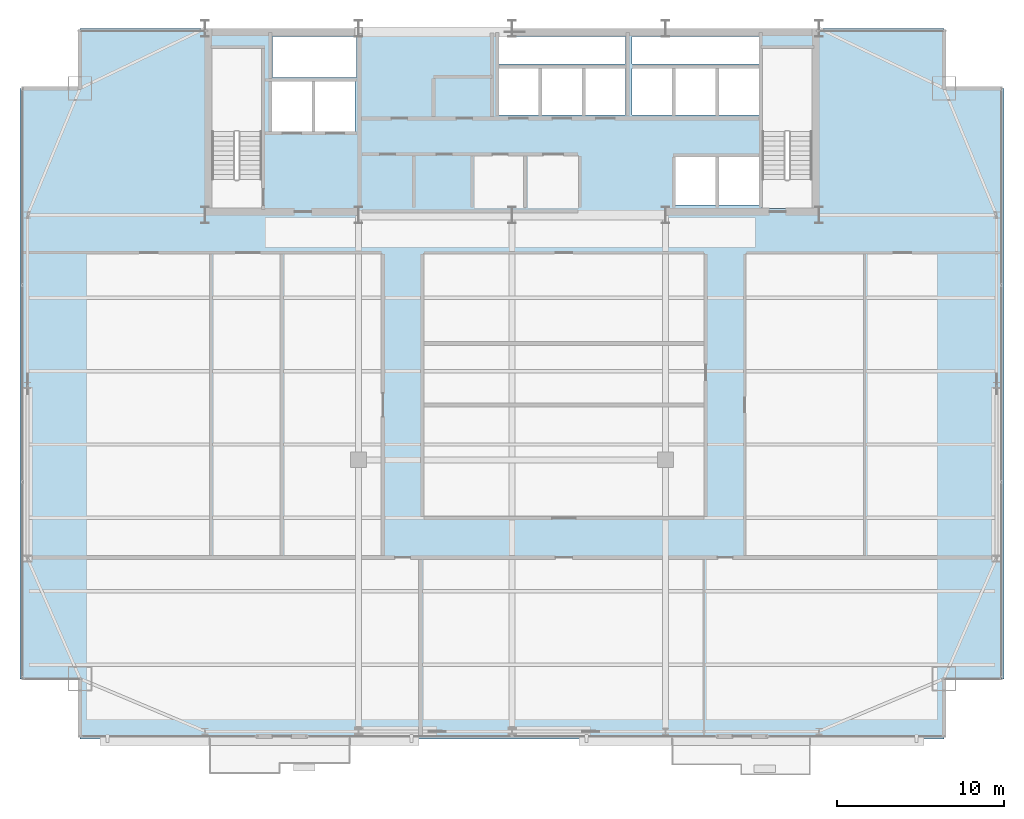
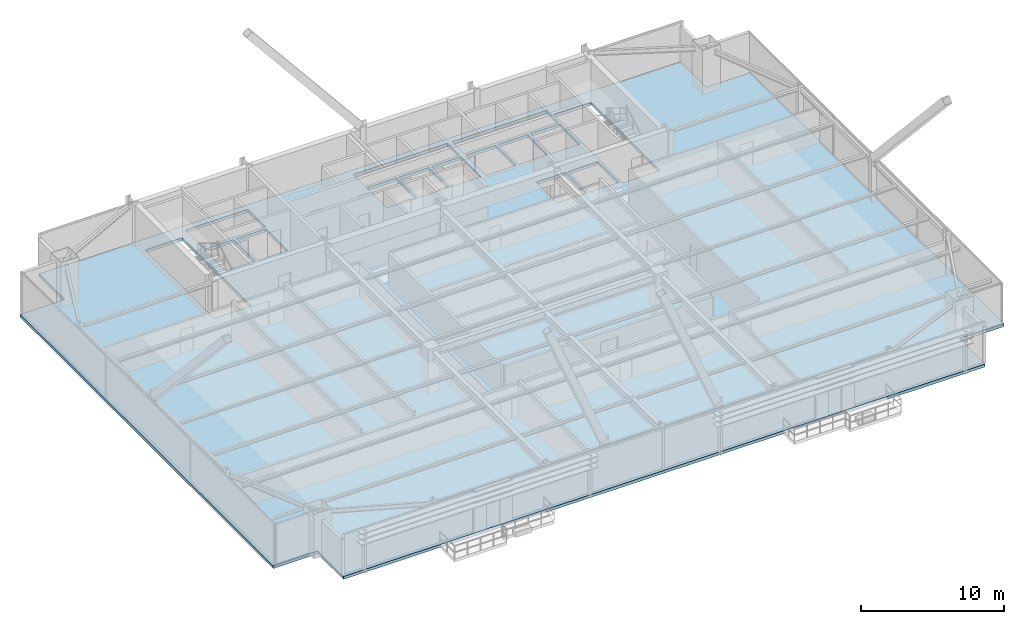
# One storey, part 28 of 37: 1 slab.
"""IFC4 building model written with IfcOpenShell, lengths in metres."""

import ifcopenshell
import ifcopenshell.guid

model = None  # the IFC model being written
_history = None  # IfcOwnerHistory: only IFC2X3 demands one
_inside = {}  # id of a spatial element -> (the spatial element, [elements in it])
_under = {}  # id of a project, library or spatial element -> (it, [spatial elements below it])
_declared = {}  # id of a project -> (the project, [libraries it declares])
_typed = {}  # id of a type object -> (the type object, [elements of that type])
_made_of = {}  # id of a material, layer set ... -> (it, [elements and type objects made of it])


def new_model(schema):
    """Start an empty IFC model of exactly this schema.

    Asked for "IFC4X3", IfcOpenShell would pick the latest addendum, in which some entities
    have other attributes; the version numbers below select the first issue.
    IFC2X3 requires an IfcOwnerHistory on every rooted entity: one is made here for all.
    """
    global model, _history
    if schema == "IFC4X3":
        model = ifcopenshell.file(schema_version=(4, 3, 0, 0))
    else:
        model = ifcopenshell.file(schema=schema)
    _inside.clear()
    _under.clear()
    _declared.clear()
    _typed.clear()
    _made_of.clear()
    _history = None
    if model.schema == "IFC2X3":
        org = make("IfcOrganization", Name="unknown")
        user = make(
            "IfcPersonAndOrganization",
            ThePerson=make("IfcPerson", FamilyName="unknown"),
            TheOrganization=org,
        )
        app = make(
            "IfcApplication",
            ApplicationDeveloper=org,
            Version="unknown",
            ApplicationFullName="unknown",
            ApplicationIdentifier="unknown",
        )
        _history = make(
            "IfcOwnerHistory",
            OwningUser=user,
            OwningApplication=app,
            ChangeAction="ADDED",
            CreationDate=0,
        )
    return model


def make(cls, **values):
    """One entity of the class cls with the attributes given. An attribute that is None is left unset."""
    return model.create_entity(
        cls, **{name: value for name, value in values.items() if value is not None}
    )


def rooted(cls, **values):
    """An entity with a GlobalId (a new one), such as an element, a storey or a relation."""
    return make(cls, GlobalId=ifcopenshell.guid.new(), OwnerHistory=_history, **values)


def si_unit(unit_type, name, prefix=None):
    """IfcSIUnit, for example si_unit("LENGTHUNIT", "METRE", prefix="MILLI")."""
    return make("IfcSIUnit", UnitType=unit_type, Prefix=prefix, Name=name)


def assignment(units):
    """IfcUnitAssignment: the units of a project."""
    return None if units is None else make("IfcUnitAssignment", Units=units)


def point(xyz):
    """IfcCartesianPoint."""
    return None if xyz is None else make("IfcCartesianPoint", Coordinates=xyz)


def direction(xyz):
    """IfcDirection."""
    return None if xyz is None else make("IfcDirection", DirectionRatios=xyz)


def frame(location, z_axis=None, x_axis=None):
    """IfcAxis2Placement3D, a coordinate frame: its origin and axes. An axis left out is left unset."""
    return make(
        "IfcAxis2Placement3D",
        Location=point(location),
        Axis=direction(z_axis),
        RefDirection=direction(x_axis),
    )


def origin():
    """The frame at (0, 0, 0) with its axes left unset."""
    return frame((0.0, 0.0, 0.0))


def place(relative_to, where):
    """IfcLocalPlacement: puts the frame where relative to a parent placement (None: the world)."""
    return make(
        "IfcLocalPlacement", PlacementRelTo=relative_to, RelativePlacement=where
    )


def context(
    kind, dimensions, precision=None, world=None, true_north=None, identifier=None
):
    """IfcGeometricRepresentationContext, for example the 3D "Model" context."""
    return make(
        "IfcGeometricRepresentationContext",
        ContextIdentifier=identifier,
        ContextType=kind,
        CoordinateSpaceDimension=dimensions,
        Precision=precision,
        WorldCoordinateSystem=world,
        TrueNorth=true_north,
    )


def subcontext(parent, identifier, kind, view, scale=None):
    """IfcGeometricRepresentationSubContext, for example "Body" below "Model"."""
    return make(
        "IfcGeometricRepresentationSubContext",
        ContextIdentifier=identifier,
        ContextType=kind,
        ParentContext=parent,
        TargetScale=scale,
        TargetView=view,
    )


def project(units=None, contexts=None):
    """IfcProject with its units and contexts."""
    return rooted(
        "IfcProject",
        Name="project",
        RepresentationContexts=contexts,
        UnitsInContext=assignment(units),
    )


def spatial(cls, under=None, at=None, **own):
    """A site, building, storey or space (cls), placed at a placement, below another one or the project."""
    s = rooted(cls, ObjectPlacement=at, **own)
    if under is not None:
        _under.setdefault(under.id(), (under, []))[1].append(s)
    return s


def polyline(points):
    """IfcPolyline through the points."""
    return make("IfcPolyline", Points=[point(p) for p in points])


def outline(outer, holes=None, kind="AREA"):
    """IfcArbitraryClosedProfileDef: a profile drawn as a closed curve; with holes, ...WithVoids."""
    if holes is None:
        return make("IfcArbitraryClosedProfileDef", ProfileType=kind, OuterCurve=outer)
    return make(
        "IfcArbitraryProfileDefWithVoids",
        ProfileType=kind,
        OuterCurve=outer,
        InnerCurves=holes,
    )


def extrude(swept, where, along, depth):
    """IfcExtrudedAreaSolid: the profile swept, set in the frame where, extruded along a direction by depth."""
    return make(
        "IfcExtrudedAreaSolid",
        SweptArea=swept,
        Position=where,
        ExtrudedDirection=direction(along),
        Depth=depth,
    )


def shape(context_of_items, identifier, shape_type, items):
    """IfcShapeRepresentation: the items that make up one representation, for example the "Body"."""
    return make(
        "IfcShapeRepresentation",
        ContextOfItems=context_of_items,
        RepresentationIdentifier=identifier,
        RepresentationType=shape_type,
        Items=items,
    )


def material(Name=None, Category=None):
    """IfcMaterial."""
    return make("IfcMaterial", Name=Name, Category=Category)


def layer(
    of_material, thickness, ventilated=None, Name=None, Category=None, Priority=None
):
    """IfcMaterialLayer: one layer of a wall or slab, of a material (None: an air gap)."""
    return make(
        "IfcMaterialLayer",
        Material=of_material,
        LayerThickness=thickness,
        IsVentilated=ventilated,
        Name=Name,
        Category=Category,
        Priority=Priority,
    )


def layer_set(layers, Name=None):
    """IfcMaterialLayerSet."""
    return make("IfcMaterialLayerSet", MaterialLayers=layers, LayerSetName=Name)


def made_of(thing, what):
    """Note that an element or type object is made of a material, layer set ...; save() writes the relation."""
    if what is not None:
        _made_of.setdefault(what.id(), (what, []))[1].append(thing)
    return thing


def type_object(cls, material=None, **own):
    """A type object (cls), such as IfcWallType, which elements share."""
    return made_of(rooted(cls, **own), material)


def element(
    cls,
    number,
    at=None,
    inside=None,
    cuts=None,
    type_object=None,
    material=None,
    context=None,
    identifier="Body",
    shape_type=None,
    held_by="IfcProductDefinitionShape",
    body=None,
    shapes=None,
    **own,
):
    """One element of the class cls, such as IfcWall. Its Tag is "e" and its number.

    at: its placement. inside: the storey or other place that contains it. cuts: it is an
    opening in that element (IfcRelVoidsElement). A single representation is given by context,
    identifier, shape_type and body (its items); several are given by shapes. held_by: the class
    of the entity that holds the representations. save() writes the other relations.
    """
    e = rooted(cls, Tag="e%d" % number, ObjectPlacement=at, **own)
    if body is not None:
        shapes = [shape(context, identifier, shape_type, body)]
    if shapes is not None:
        e.Representation = make(held_by, Representations=shapes)
    if inside is not None:
        _inside.setdefault(inside.id(), (inside, []))[1].append(e)
    if cuts is not None:
        rooted(
            "IfcRelVoidsElement", RelatingBuildingElement=cuts, RelatedOpeningElement=e
        )
    if type_object is not None:
        _typed.setdefault(type_object.id(), (type_object, []))[1].append(e)
    return made_of(e, material)


def aggregate(whole, parts):
    """IfcRelAggregates: a whole, such as a stair, and the parts it consists of."""
    return rooted("IfcRelAggregates", RelatingObject=whole, RelatedObjects=parts)


def save(model, path):
    """Write the relations noted so far, then the file.

    IfcRelAggregates (storeys below a building ...), IfcRelContainedInSpatialStructure (elements
    in a storey), IfcRelDefinesByType, IfcRelAssociatesMaterial and IfcRelDeclares: one each for
    every whole, place, type object, material and project.
    """
    for whole, parts in _under.values():
        aggregate(whole, parts)
    for where, things in _inside.values():
        rooted(
            "IfcRelContainedInSpatialStructure",
            RelatedElements=things,
            RelatingStructure=where,
        )
    for kind, things in _typed.values():
        rooted("IfcRelDefinesByType", RelatedObjects=things, RelatingType=kind)
    for what, things in _made_of.values():
        rooted("IfcRelAssociatesMaterial", RelatedObjects=things, RelatingMaterial=what)
    for by, libraries in _declared.values():
        rooted("IfcRelDeclares", RelatingContext=by, RelatedDefinitions=libraries)
    model.write(path)


model = new_model("IFC4")

# Units and contexts
model_context = context("Model", 3, precision=1e-05, world=origin(), true_north=direction((0.0, 1.0)))
body_context = subcontext(model_context, "Body", "Model", "MODEL_VIEW")
ifc_project = project(units=[si_unit("LENGTHUNIT", "METRE"), si_unit("AREAUNIT", "SQUARE_METRE"), si_unit("VOLUMEUNIT", "CUBIC_METRE"), si_unit("PLANEANGLEUNIT", "RADIAN"), si_unit("MASSUNIT", "GRAM", prefix="KILO")], contexts=[model_context])

# Site, building, storey
site_placement = place(None, origin())
site = spatial("IfcSite", under=ifc_project, at=site_placement, CompositionType="ELEMENT")
building_placement = place(site_placement, origin())
building = spatial("IfcBuilding", under=site, at=building_placement, Name="Varnel Quay Broadcast Tower", CompositionType="ELEMENT")
storey_placement = place(building_placement, frame((0.0, 0.0, 125.800048828125)))
storey = spatial("IfcBuildingStorey", under=building, at=storey_placement, Name="L30", CompositionType="ELEMENT", Elevation=125.800048828125)

# Slab
ifc_material = material(Name="Concrete CSA A23.3 C50/60", Category="concrete")
ifc_layer = layer(ifc_material, 0.25, Name="Concrete CSA A23.3 C50/60")
ifc_layer_set = layer_set([ifc_layer], Name="Concrete CSA A23.3 C50/60")
slab_type = type_object("IfcSlabType", Name="Slab_Floor250", PredefinedType="FLOOR", material=ifc_layer_set)
slab_placement = place(storey_placement, frame((0.0, 0.0, -0.25)))
element("IfcSlab", 1, at=slab_placement, inside=storey, type_object=slab_type, Name="L30 Structural Slab", PredefinedType="FLOOR", context=body_context, shape_type="SweptSolid", body=[
    extrude(outline(polyline([(8.10009765625, 4.199951171875), (59.89990234375, 4.199951171875), (59.89990234375, 7.800048828125), (63.5, 7.800048828125), (63.5, 43.199951171875), (59.89990234375, 43.199951171875), (59.89990234375, 46.800048828125), (8.10009765625, 46.800048828125), (8.10009765625, 43.199951171875), (4.5, 43.199951171875), (4.5, 7.800048828125), (8.10009765625, 7.800048828125), (8.10009765625, 4.199951171875)]), holes=[polyline([(19.0, 36.0), (16.0, 36.0), (16.0, 45.60009765625), (19.0, 45.60009765625), (19.0, 36.0)]), polyline([(19.60009765625, 43.60009765625), (22.0, 43.60009765625), (22.0, 40.60009765625), (19.60009765625, 40.60009765625), (19.60009765625, 43.60009765625)]), polyline([(22.199951171875, 43.60009765625), (24.60009765625, 43.60009765625), (24.60009765625, 40.60009765625), (22.199951171875, 40.60009765625), (22.199951171875, 43.60009765625)]), polyline([(33.199951171875, 44.39990234375), (35.60009765625, 44.39990234375), (35.60009765625, 41.60009765625), (33.199951171875, 41.60009765625), (33.199951171875, 44.39990234375)]), polyline([(35.800048828125, 44.39990234375), (38.199951171875, 44.39990234375), (38.199951171875, 41.60009765625), (35.800048828125, 41.60009765625), (35.800048828125, 44.39990234375)]), polyline([(38.39990234375, 44.39990234375), (40.800048828125, 44.39990234375), (40.800048828125, 41.60009765625), (38.39990234375, 41.60009765625), (38.39990234375, 44.39990234375)]), polyline([(19.64990234375, 46.300048828125), (24.679931640625, 46.300048828125), (24.679931640625, 43.85009765625), (19.64990234375, 43.85009765625), (19.64990234375, 46.300048828125)]), polyline([(33.199951171875, 46.300048828125), (40.800048828125, 46.300048828125), (40.800048828125, 44.64990234375), (33.199951171875, 44.64990234375), (33.199951171875, 46.300048828125)]), polyline([(43.800048828125, 39.10009765625), (46.199951171875, 39.10009765625), (46.199951171875, 36.199951171875), (43.800048828125, 36.199951171875), (43.800048828125, 39.10009765625)]), polyline([(46.39990234375, 39.10009765625), (48.800048828125, 39.10009765625), (48.800048828125, 36.199951171875), (46.39990234375, 36.199951171875), (46.39990234375, 39.10009765625)]), polyline([(49.0, 36.0), (49.0, 45.60009765625), (52.0, 45.60009765625), (52.0, 36.0), (49.0, 36.0)]), polyline([(41.199951171875, 44.39990234375), (43.60009765625, 44.39990234375), (43.60009765625, 41.60009765625), (41.199951171875, 41.60009765625), (41.199951171875, 44.39990234375)]), polyline([(43.800048828125, 44.39990234375), (46.199951171875, 44.39990234375), (46.199951171875, 41.60009765625), (43.800048828125, 41.60009765625), (43.800048828125, 44.39990234375)]), polyline([(46.39990234375, 44.39990234375), (48.800048828125, 44.39990234375), (48.800048828125, 41.60009765625), (46.39990234375, 41.60009765625), (46.39990234375, 44.39990234375)]), polyline([(41.199951171875, 46.300048828125), (48.800048828125, 46.300048828125), (48.800048828125, 44.64990234375), (41.199951171875, 44.64990234375), (41.199951171875, 46.300048828125)])]), origin(), (0.0, 0.0, 1.0), 0.25),
])

save(model, "model.ifc")
